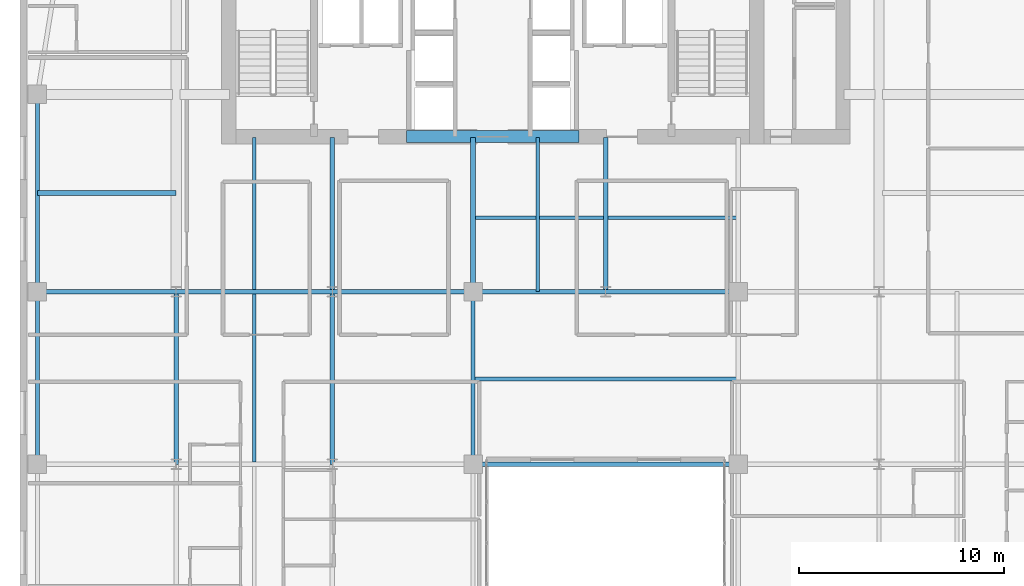
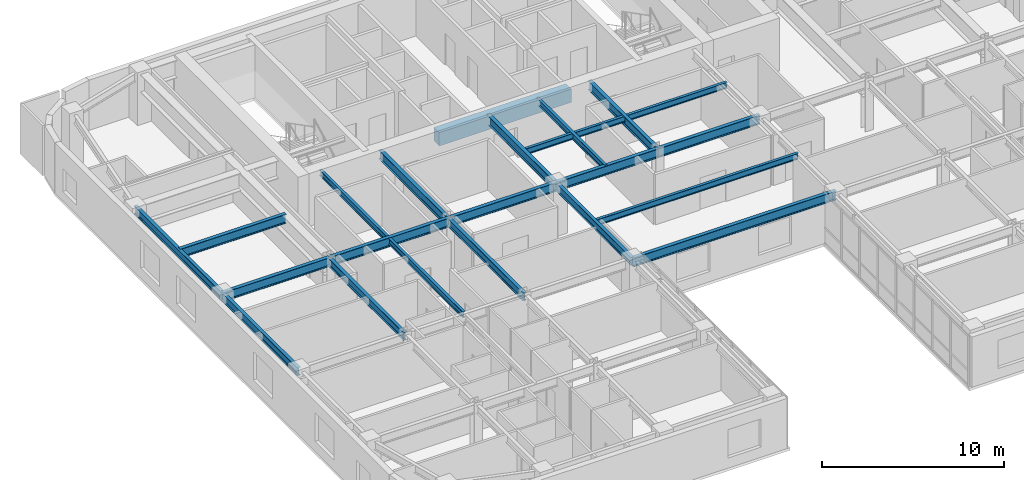
# One storey, part 4 of 17: 21 beams.
"""IFC4 building model written with IfcOpenShell, lengths in metres."""

from ifc_helpers import new_model, si_unit, direction, frame, origin, origin_2d, place, context, subcontext, project, spatial, rectangle, i_section, extrude, source, transform, mapped, material, material_profile, profile_set, type_object, type_shapes, element, save


model = new_model("IFC4")

# Units and contexts
model_context = context("Model", 3, precision=1e-05, world=origin(), true_north=direction((0.0, 1.0)))
body_context = subcontext(model_context, "Body", "Model", "MODEL_VIEW")
ifc_project = project(units=[si_unit("LENGTHUNIT", "METRE"), si_unit("AREAUNIT", "SQUARE_METRE"), si_unit("VOLUMEUNIT", "CUBIC_METRE"), si_unit("PLANEANGLEUNIT", "RADIAN"), si_unit("MASSUNIT", "GRAM", prefix="KILO")], contexts=[model_context])

# Site, building, storey
site_placement = place(None, origin())
site = spatial("IfcSite", under=ifc_project, at=site_placement, CompositionType="ELEMENT")
building_placement = place(site_placement, origin())
building = spatial("IfcBuilding", under=site, at=building_placement, Name="Tolvann Quenvar Hotel", CompositionType="ELEMENT")
storey_placement = place(building_placement, frame((0.0, 0.0, 129.300048828125)))
storey = spatial("IfcBuildingStorey", under=building, at=storey_placement, Name="L33", CompositionType="ELEMENT", Elevation=129.300048828125)

# Beams
ifc_material_1 = material(Name="Concrete N50 (50 MPa)", Category="concrete")
ifc_material_profile_1 = material_profile(ifc_material_1, rectangle(XDim=0.60009765625, YDim=0.89990234375, at=origin_2d()), Name="RC600x900")
ifc_profile_set_1 = profile_set([ifc_material_profile_1], Name="Concrete N50 (50 MPa)")
beam_type_1 = type_object("IfcBeamType", Name="BM_LINT_RC600x900", PredefinedType="LINTEL", material=ifc_profile_set_1)
shared_shape_1 = source(origin(), body_context, "Body", "SweptSolid", [
    extrude(rectangle(XDim=0.60009765625, YDim=0.89990234375, at=origin_2d()), origin(), (0.0, 0.0, 1.0), 8.39990234375),
])
type_shapes(beam_type_1, [shared_shape_1])
beam_1_placement = place(storey_placement, frame((18.800048828125, 31.949951171875, 2.919921875), z_axis=(1.0, 0.0, 0.0), x_axis=(0.0, 1.0, 0.0)))
element("IfcBeam", 1, at=beam_1_placement, inside=storey, type_object=beam_type_1, Name="Core Coupling Lintel Beam (L33)", PredefinedType="LINTEL", context=body_context, shape_type="MappedRepresentation", body=[
    mapped(shared_shape_1, transform((0.0, 0.0, 0.0), x_axis=(1.0, 0.0, 0.0), y_axis=(0.0, 1.0, 0.0), z_axis=(0.0, 0.0, 1.0), scale=1.0)),
])
ifc_material_2 = material(Name="Steel Grade 350", Category="steel")
ifc_material_profile_2 = material_profile(ifc_material_2, i_section(OverallWidth=0.22900390625, OverallDepth=0.612060546875, WebThickness=0.011962890625, FlangeThickness=0.01953125, FilletRadius=0.013916015625, at=origin_2d()), Name="610UB125")
ifc_profile_set_2 = profile_set([ifc_material_profile_2], Name="Steel Grade 350")
beam_type_2 = type_object("IfcBeamType", Name="BM_GIRD_610UB125", PredefinedType="BEAM", material=ifc_profile_set_2)
shared_shape_2 = source(origin(), body_context, "Body", "SweptSolid", [
    extrude(i_section(OverallWidth=0.22900390625, OverallDepth=0.612060546875, WebThickness=0.011962890625, FlangeThickness=0.01953125, FilletRadius=0.013916015625, at=origin_2d()), origin(), (0.0, 0.0, 1.0), 6.75),
])
for number, where, z_axis, x_axis, name in (
    (2, (0.85009765625, 24.39990234375, 3.06396484375), (1.0, 0.0, 0.0), (0.0, 1.0, 0.0), "BM-L33-EW-5-B5-C5"),
    (3, (0.85009765625, 29.199951171875, 3.06396484375), (1.0, 0.0, 0.0), (0.0, 1.0, 0.0), "BM-L33-EW-BC29"),
):
    element("IfcBeam", number, at=place(storey_placement, frame(where, z_axis=z_axis, x_axis=x_axis)), inside=storey, type_object=beam_type_2, Name=name, PredefinedType="BEAM", context=body_context, shape_type="MappedRepresentation", body=[
        mapped(shared_shape_2, transform((0.0, 0.0, 0.0), x_axis=(1.0, 0.0, 0.0), y_axis=(0.0, 1.0, 0.0), z_axis=(0.0, 0.0, 1.0), scale=1.0)),
    ])
shared_shape_3 = source(origin(), body_context, "Body", "SweptSolid", [
    extrude(i_section(OverallWidth=0.22900390625, OverallDepth=0.612060546875, WebThickness=0.011962890625, FlangeThickness=0.01953125, FilletRadius=0.013916015625, at=origin_2d()), origin(), (0.0, 0.0, 1.0), 7.599853515625),
])
beam_2_placement = place(storey_placement, frame((7.60009765625, 24.39990234375, 3.06396484375), z_axis=(1.0, 0.0, 0.0), x_axis=(0.0, 1.0, 0.0)))
element("IfcBeam", 4, at=beam_2_placement, inside=storey, type_object=beam_type_2, Name="BM-L33-EW-5-C5-D5", PredefinedType="BEAM", context=body_context, shape_type="MappedRepresentation", body=[
    mapped(shared_shape_3, transform((0.0, 0.0, 0.0), x_axis=(1.0, 0.0, 0.0), y_axis=(0.0, 1.0, 0.0), z_axis=(0.0, 0.0, 1.0), scale=1.0)),
])
shared_shape_4 = source(origin(), body_context, "Body", "SweptSolid", [
    extrude(i_section(OverallWidth=0.22900390625, OverallDepth=0.612060546875, WebThickness=0.011962890625, FlangeThickness=0.01953125, FilletRadius=0.013916015625, at=origin_2d()), origin(), (0.0, 0.0, 1.0), 6.85009765625),
])
beam_3_placement = place(storey_placement, frame((15.199951171875, 24.39990234375, 3.06396484375), z_axis=(1.0, 0.0, 0.0), x_axis=(0.0, 1.0, 0.0)))
element("IfcBeam", 5, at=beam_3_placement, inside=storey, type_object=beam_type_2, Name="BM-L33-EW-5-D5-E5", PredefinedType="BEAM", context=body_context, shape_type="MappedRepresentation", body=[
    mapped(shared_shape_4, transform((0.0, 0.0, 0.0), x_axis=(1.0, 0.0, 0.0), y_axis=(0.0, 1.0, 0.0), z_axis=(0.0, 0.0, 1.0), scale=1.0)),
])
shared_shape_5 = source(origin(), body_context, "Body", "SweptSolid", [
    extrude(i_section(OverallWidth=0.22900390625, OverallDepth=0.612060546875, WebThickness=0.011962890625, FlangeThickness=0.01953125, FilletRadius=0.013916015625, at=origin_2d()), origin(), (0.0, 0.0, 1.0), 12.89990234375),
])
beam_4_placement = place(storey_placement, frame((22.050048828125, 16.0, 3.06396484375), z_axis=(1.0, 0.0, 0.0), x_axis=(0.0, 1.0, 0.0)))
element("IfcBeam", 6, at=beam_4_placement, inside=storey, type_object=beam_type_2, Name="BM-L33-EW-4-E4-F4", PredefinedType="BEAM", context=body_context, shape_type="MappedRepresentation", body=[
    mapped(shared_shape_5, transform((0.0, 0.0, 0.0), x_axis=(1.0, 0.0, 0.0), y_axis=(0.0, 1.0, 0.0), z_axis=(0.0, 0.0, 1.0), scale=1.0)),
])
shared_shape_6 = source(origin(), body_context, "Body", "SweptSolid", [
    extrude(i_section(OverallWidth=0.22900390625, OverallDepth=0.612060546875, WebThickness=0.011962890625, FlangeThickness=0.01953125, FilletRadius=0.013916015625, at=origin_2d()), origin(), (0.0, 0.0, 1.0), 6.449951171875),
])
for number, where, z_axis, x_axis, name in (
    (7, (22.050048828125, 24.39990234375, 3.06396484375), (1.0, 0.0, 0.0), (0.0, 1.0, 0.0), "BM-L33-EW-5-E5-M5"),
    (8, (28.5, 24.39990234375, 3.06396484375), (1.0, 0.0, 0.0), (0.0, 1.0, 0.0), "BM-L33-EW-5-M5-F5"),
):
    element("IfcBeam", number, at=place(storey_placement, frame(where, z_axis=z_axis, x_axis=x_axis)), inside=storey, type_object=beam_type_2, Name=name, PredefinedType="BEAM", context=body_context, shape_type="MappedRepresentation", body=[
        mapped(shared_shape_6, transform((0.0, 0.0, 0.0), x_axis=(1.0, 0.0, 0.0), y_axis=(0.0, 1.0, 0.0), z_axis=(0.0, 0.0, 1.0), scale=1.0)),
    ])
ifc_material_profile_3 = material_profile(ifc_material_2, i_section(OverallWidth=0.208984375, OverallDepth=0.528076171875, WebThickness=0.009521484375, FlangeThickness=0.01318359375, FilletRadius=0.013916015625, at=origin_2d()), Name="530UB82")
ifc_profile_set_3 = profile_set([ifc_material_profile_3], Name="Steel Grade 350")
beam_type_3 = type_object("IfcBeamType", Name="BM_SPAND_530UB82", PredefinedType="SPANDREL", material=ifc_profile_set_3)
shared_shape_7 = source(origin(), body_context, "Body", "SweptSolid", [
    extrude(i_section(OverallWidth=0.208984375, OverallDepth=0.528076171875, WebThickness=0.009521484375, FlangeThickness=0.01318359375, FilletRadius=0.013916015625, at=origin_2d()), origin(), (0.0, 0.0, 1.0), 8.39990234375),
])
beam_5_placement = place(storey_placement, frame((0.85009765625, 16.0, 3.10595703125), z_axis=(0.0, 1.0, 0.0), x_axis=(-1.0, 0.0, 0.0)))
element("IfcBeam", 9, at=beam_5_placement, inside=storey, type_object=beam_type_3, Name="BM-L33-NS-B4-B5", PredefinedType="SPANDREL", context=body_context, shape_type="MappedRepresentation", body=[
    mapped(shared_shape_7, transform((0.0, 0.0, 0.0), x_axis=(1.0, 0.0, 0.0), y_axis=(0.0, 1.0, 0.0), z_axis=(0.0, 0.0, 1.0), scale=1.0)),
])
ifc_material_profile_4 = material_profile(ifc_material_2, i_section(OverallWidth=0.208984375, OverallDepth=0.532958984375, WebThickness=0.01025390625, FlangeThickness=0.015625, FilletRadius=0.013916015625, at=origin_2d()), Name="530UB92")
ifc_profile_set_4 = profile_set([ifc_material_profile_4], Name="Steel Grade 350")
beam_type_4 = type_object("IfcBeamType", Name="BM_GIRD_530UB92", PredefinedType="BEAM", material=ifc_profile_set_4)
shared_shape_8 = source(origin(), body_context, "Body", "SweptSolid", [
    extrude(i_section(OverallWidth=0.208984375, OverallDepth=0.532958984375, WebThickness=0.01025390625, FlangeThickness=0.015625, FilletRadius=0.013916015625, at=origin_2d()), origin(), (0.0, 0.0, 1.0), 8.39990234375),
])
type_shapes(beam_type_4, [shared_shape_8])
for number, where, z_axis, x_axis, name in (
    (10, (7.60009765625, 16.0, 3.103515625), (0.0, 1.0, 0.0), (-1.0, 0.0, 0.0), "BM-L33-NS-C4-C5"),
    (11, (15.199951171875, 16.0, 3.103515625), (0.0, 1.0, 0.0), (-1.0, 0.0, 0.0), "BM-L33-NS-D4-D5"),
    (12, (22.050048828125, 16.0, 3.103515625), (0.0, 1.0, 0.0), (-1.0, 0.0, 0.0), "BM-L33-NS-E4-E5"),
):
    element("IfcBeam", number, at=place(storey_placement, frame(where, z_axis=z_axis, x_axis=x_axis)), inside=storey, type_object=beam_type_4, Name=name, PredefinedType="BEAM", context=body_context, shape_type="MappedRepresentation", body=[
        mapped(shared_shape_8, transform((0.0, 0.0, 0.0), x_axis=(1.0, 0.0, 0.0), y_axis=(0.0, 1.0, 0.0), z_axis=(0.0, 0.0, 1.0), scale=1.0)),
    ])
shared_shape_9 = source(origin(), body_context, "Body", "SweptSolid", [
    extrude(i_section(OverallWidth=0.22900390625, OverallDepth=0.612060546875, WebThickness=0.011962890625, FlangeThickness=0.01953125, FilletRadius=0.013916015625, at=origin_2d()), origin(), (0.0, 0.0, 1.0), 7.5),
])
type_shapes(beam_type_2, [shared_shape_2, shared_shape_3, shared_shape_4, shared_shape_5, shared_shape_6, shared_shape_9])
for number, where, z_axis, x_axis, name in (
    (13, (15.199951171875, 24.39990234375, 3.06396484375), (0.0, 1.0, 0.0), (-1.0, 0.0, 0.0), "BM-L33-CORE-D5"),
    (14, (22.050048828125, 24.39990234375, 3.06396484375), (0.0, 1.0, 0.0), (-1.0, 0.0, 0.0), "BM-L33-CORE-E5"),
    (15, (28.5, 24.39990234375, 3.06396484375), (0.0, 1.0, 0.0), (-1.0, 0.0, 0.0), "BM-L33-CORE-M5"),
):
    element("IfcBeam", number, at=place(storey_placement, frame(where, z_axis=z_axis, x_axis=x_axis)), inside=storey, type_object=beam_type_2, Name=name, PredefinedType="BEAM", context=body_context, shape_type="MappedRepresentation", body=[
        mapped(shared_shape_9, transform((0.0, 0.0, 0.0), x_axis=(1.0, 0.0, 0.0), y_axis=(0.0, 1.0, 0.0), z_axis=(0.0, 0.0, 1.0), scale=1.0)),
    ])
shared_shape_10 = source(origin(), body_context, "Body", "SweptSolid", [
    extrude(i_section(OverallWidth=0.208984375, OverallDepth=0.528076171875, WebThickness=0.009521484375, FlangeThickness=0.01318359375, FilletRadius=0.013916015625, at=origin_2d()), origin(), (0.0, 0.0, 1.0), 9.60009765625),
])
type_shapes(beam_type_3, [shared_shape_7, shared_shape_10])
beam_6_placement = place(storey_placement, frame((0.85009765625, 24.39990234375, 3.10595703125), z_axis=(0.0, 1.0, 0.0), x_axis=(-1.0, 0.0, 0.0)))
element("IfcBeam", 16, at=beam_6_placement, inside=storey, type_object=beam_type_3, Name="BM-L33-FLK-W1", PredefinedType="SPANDREL", context=body_context, shape_type="MappedRepresentation", body=[
    mapped(shared_shape_10, transform((0.0, 0.0, 0.0), x_axis=(1.0, 0.0, 0.0), y_axis=(0.0, 1.0, 0.0), z_axis=(0.0, 0.0, 1.0), scale=1.0)),
])
ifc_material_profile_5 = material_profile(ifc_material_2, i_section(OverallWidth=0.177978515625, OverallDepth=0.406005859375, WebThickness=0.0078125, FlangeThickness=0.0126953125, FilletRadius=0.011474609375, at=origin_2d()), Name="410UB60")
ifc_profile_set_5 = profile_set([ifc_material_profile_5], Name="Steel Grade 350")
beam_type_5 = type_object("IfcBeamType", Name="BM_JOIST_410UB60", PredefinedType="JOIST", material=ifc_profile_set_5)
shared_shape_11 = source(origin(), body_context, "Body", "SweptSolid", [
    extrude(i_section(OverallWidth=0.177978515625, OverallDepth=0.406005859375, WebThickness=0.0078125, FlangeThickness=0.0126953125, FilletRadius=0.011474609375, at=origin_2d()), origin(), (0.0, 0.0, 1.0), 12.89990234375),
])
for number, where, z_axis, x_axis, name in (
    (17, (22.050048828125, 20.14990234375, 3.1669921875), (1.0, 0.0, 0.0), (0.0, 1.0, 0.0), "BM-L33-SPINE-20"),
    (18, (22.050048828125, 28.0, 3.1669921875), (1.0, 0.0, 0.0), (0.0, 1.0, 0.0), "BM-L33-SPINE-28"),
):
    element("IfcBeam", number, at=place(storey_placement, frame(where, z_axis=z_axis, x_axis=x_axis)), inside=storey, type_object=beam_type_5, Name=name, PredefinedType="JOIST", context=body_context, shape_type="MappedRepresentation", body=[
        mapped(shared_shape_11, transform((0.0, 0.0, 0.0), x_axis=(1.0, 0.0, 0.0), y_axis=(0.0, 1.0, 0.0), z_axis=(0.0, 0.0, 1.0), scale=1.0)),
    ])
shared_shape_12 = source(origin(), body_context, "Body", "SweptSolid", [
    extrude(i_section(OverallWidth=0.177978515625, OverallDepth=0.406005859375, WebThickness=0.0078125, FlangeThickness=0.0126953125, FilletRadius=0.011474609375, at=origin_2d()), origin(), (0.0, 0.0, 1.0), 8.18310546875),
])
beam_7_placement = place(storey_placement, frame((11.39990234375, 16.1083984375, 3.1669921875), z_axis=(0.0, 1.0, 0.0), x_axis=(-1.0, 0.0, 0.0)))
element("IfcBeam", 19, at=beam_7_placement, inside=storey, type_object=beam_type_5, Name="BJ-L33-114-160", PredefinedType="JOIST", context=body_context, shape_type="MappedRepresentation", body=[
    mapped(shared_shape_12, transform((0.0, 0.0, 0.0), x_axis=(1.0, 0.0, 0.0), y_axis=(0.0, 1.0, 0.0), z_axis=(0.0, 0.0, 1.0), scale=1.0)),
])
shared_shape_13 = source(origin(), body_context, "Body", "SweptSolid", [
    extrude(i_section(OverallWidth=0.177978515625, OverallDepth=0.406005859375, WebThickness=0.0078125, FlangeThickness=0.0126953125, FilletRadius=0.011474609375, at=origin_2d()), origin(), (0.0, 0.0, 1.0), 7.391357421875),
])
beam_8_placement = place(storey_placement, frame((11.39990234375, 24.508544921875, 3.1669921875), z_axis=(0.0, 1.0, 0.0), x_axis=(-1.0, 0.0, 0.0)))
element("IfcBeam", 20, at=beam_8_placement, inside=storey, type_object=beam_type_5, Name="BJ-L33-114-244", PredefinedType="JOIST", context=body_context, shape_type="MappedRepresentation", body=[
    mapped(shared_shape_13, transform((0.0, 0.0, 0.0), x_axis=(1.0, 0.0, 0.0), y_axis=(0.0, 1.0, 0.0), z_axis=(0.0, 0.0, 1.0), scale=1.0)),
])
shared_shape_14 = source(origin(), body_context, "Body", "SweptSolid", [
    extrude(i_section(OverallWidth=0.177978515625, OverallDepth=0.406005859375, WebThickness=0.0078125, FlangeThickness=0.0126953125, FilletRadius=0.011474609375, at=origin_2d()), origin(), (0.0, 0.0, 1.0), 7.5),
])
type_shapes(beam_type_5, [shared_shape_11, shared_shape_12, shared_shape_13, shared_shape_14])
beam_9_placement = place(storey_placement, frame((25.199951171875, 24.39990234375, 3.1669921875), z_axis=(0.0, 1.0, 0.0), x_axis=(-1.0, 0.0, 0.0)))
element("IfcBeam", 21, at=beam_9_placement, inside=storey, type_object=beam_type_5, Name="BJ-L33-252-244", PredefinedType="JOIST", context=body_context, shape_type="MappedRepresentation", body=[
    mapped(shared_shape_14, transform((0.0, 0.0, 0.0), x_axis=(1.0, 0.0, 0.0), y_axis=(0.0, 1.0, 0.0), z_axis=(0.0, 0.0, 1.0), scale=1.0)),
])

save(model, "model.ifc")
